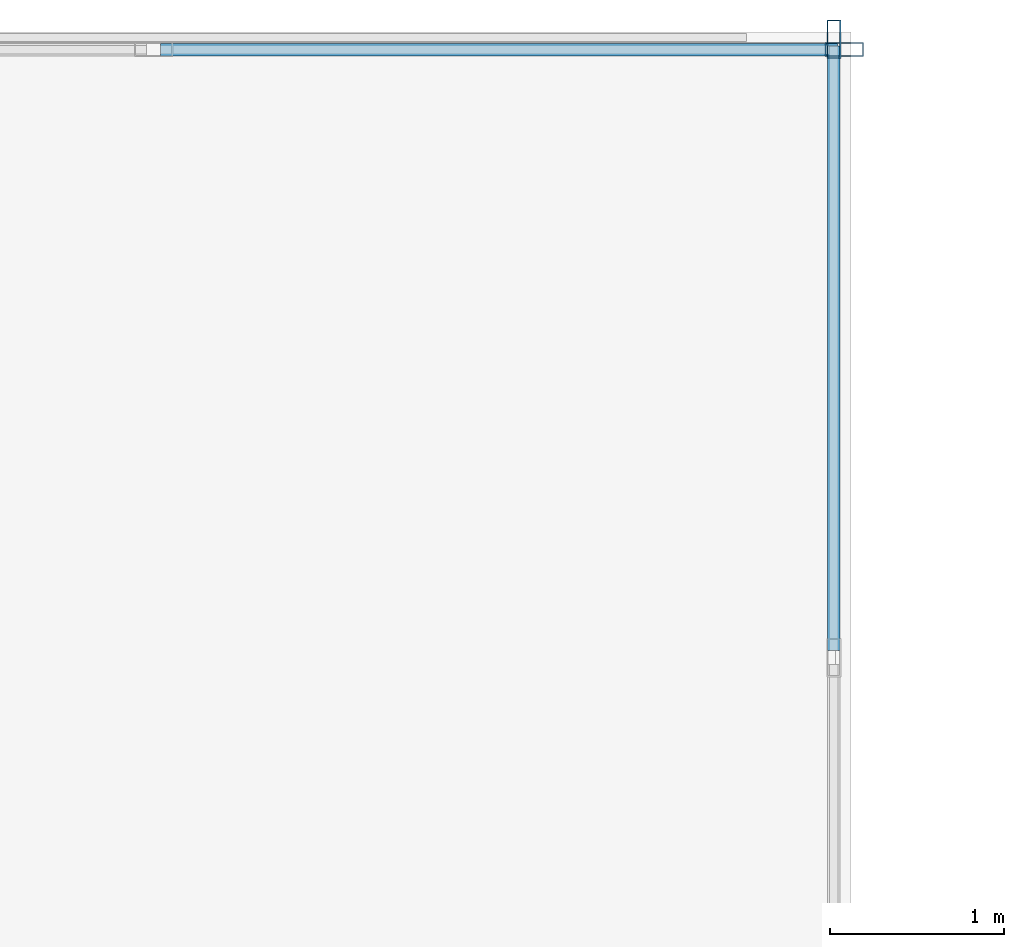
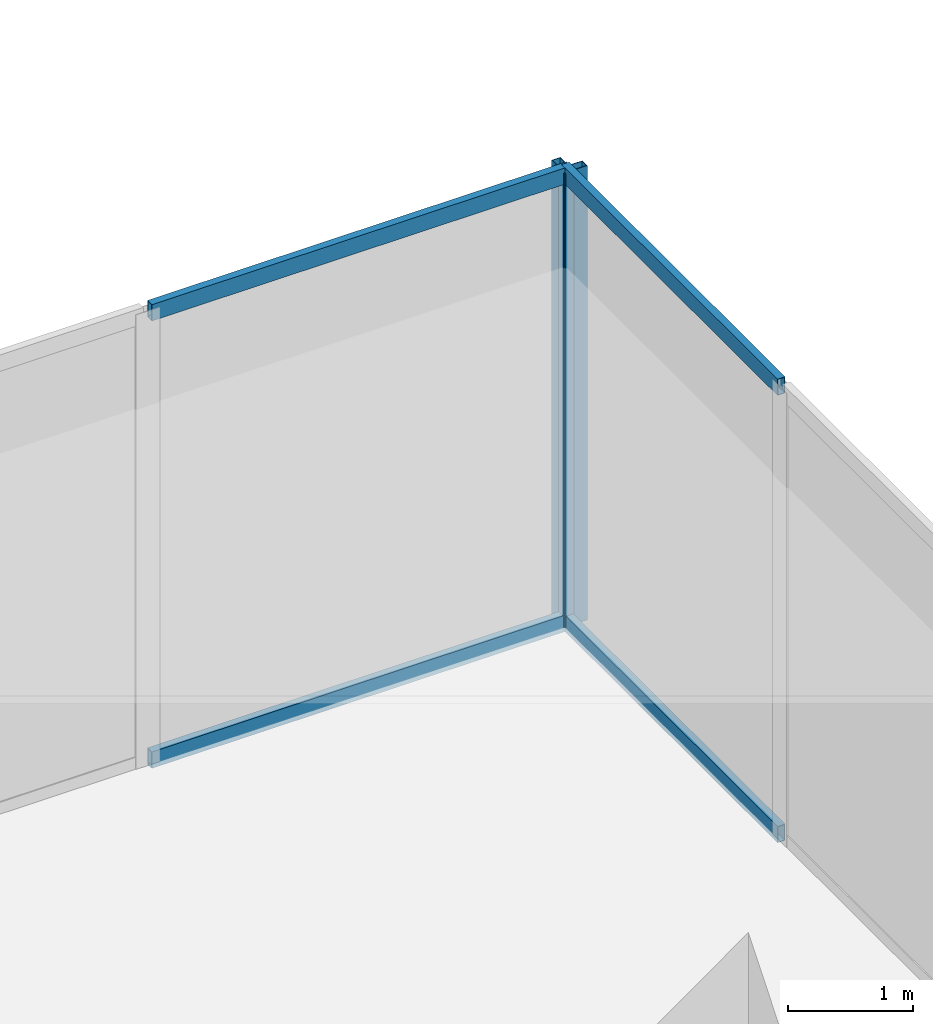
# One storey, part 16 of 33: 6 members, 2 elements without a shape of their own.
"""IFC4 building model written with IfcOpenShell, lengths in metres."""

import ifcopenshell
import ifcopenshell.guid

model = None  # the IFC model being written
_history = None  # IfcOwnerHistory: only IFC2X3 demands one
_inside = {}  # id of a spatial element -> (the spatial element, [elements in it])
_under = {}  # id of a project, library or spatial element -> (it, [spatial elements below it])
_declared = {}  # id of a project -> (the project, [libraries it declares])
_typed = {}  # id of a type object -> (the type object, [elements of that type])
_made_of = {}  # id of a material, layer set ... -> (it, [elements and type objects made of it])


def new_model(schema):
    """Start an empty IFC model of exactly this schema.

    Asked for "IFC4X3", IfcOpenShell would pick the latest addendum, in which some entities
    have other attributes; the version numbers below select the first issue.
    IFC2X3 requires an IfcOwnerHistory on every rooted entity: one is made here for all.
    """
    global model, _history
    if schema == "IFC4X3":
        model = ifcopenshell.file(schema_version=(4, 3, 0, 0))
    else:
        model = ifcopenshell.file(schema=schema)
    _inside.clear()
    _under.clear()
    _declared.clear()
    _typed.clear()
    _made_of.clear()
    _history = None
    if model.schema == "IFC2X3":
        org = make("IfcOrganization", Name="unknown")
        user = make(
            "IfcPersonAndOrganization",
            ThePerson=make("IfcPerson", FamilyName="unknown"),
            TheOrganization=org,
        )
        app = make(
            "IfcApplication",
            ApplicationDeveloper=org,
            Version="unknown",
            ApplicationFullName="unknown",
            ApplicationIdentifier="unknown",
        )
        _history = make(
            "IfcOwnerHistory",
            OwningUser=user,
            OwningApplication=app,
            ChangeAction="ADDED",
            CreationDate=0,
        )
    return model


def make(cls, **values):
    """One entity of the class cls with the attributes given. An attribute that is None is left unset."""
    return model.create_entity(
        cls, **{name: value for name, value in values.items() if value is not None}
    )


def rooted(cls, **values):
    """An entity with a GlobalId (a new one), such as an element, a storey or a relation."""
    return make(cls, GlobalId=ifcopenshell.guid.new(), OwnerHistory=_history, **values)


def si_unit(unit_type, name, prefix=None):
    """IfcSIUnit, for example si_unit("LENGTHUNIT", "METRE", prefix="MILLI")."""
    return make("IfcSIUnit", UnitType=unit_type, Prefix=prefix, Name=name)


def assignment(units):
    """IfcUnitAssignment: the units of a project."""
    return None if units is None else make("IfcUnitAssignment", Units=units)


def point(xyz):
    """IfcCartesianPoint."""
    return None if xyz is None else make("IfcCartesianPoint", Coordinates=xyz)


def direction(xyz):
    """IfcDirection."""
    return None if xyz is None else make("IfcDirection", DirectionRatios=xyz)


def frame(location, z_axis=None, x_axis=None):
    """IfcAxis2Placement3D, a coordinate frame: its origin and axes. An axis left out is left unset."""
    return make(
        "IfcAxis2Placement3D",
        Location=point(location),
        Axis=direction(z_axis),
        RefDirection=direction(x_axis),
    )


def frame_2d(location, x_axis=None):
    """IfcAxis2Placement2D, a coordinate frame in the plane: its origin and x axis."""
    return make(
        "IfcAxis2Placement2D", Location=point(location), RefDirection=direction(x_axis)
    )


def origin():
    """The frame at (0, 0, 0) with its axes left unset."""
    return frame((0.0, 0.0, 0.0))


def origin_2d():
    """The frame at (0, 0) in the plane with its x axis left unset."""
    return frame_2d((0.0, 0.0))


def place(relative_to, where):
    """IfcLocalPlacement: puts the frame where relative to a parent placement (None: the world)."""
    return make(
        "IfcLocalPlacement", PlacementRelTo=relative_to, RelativePlacement=where
    )


def context(
    kind, dimensions, precision=None, world=None, true_north=None, identifier=None
):
    """IfcGeometricRepresentationContext, for example the 3D "Model" context."""
    return make(
        "IfcGeometricRepresentationContext",
        ContextIdentifier=identifier,
        ContextType=kind,
        CoordinateSpaceDimension=dimensions,
        Precision=precision,
        WorldCoordinateSystem=world,
        TrueNorth=true_north,
    )


def subcontext(parent, identifier, kind, view, scale=None):
    """IfcGeometricRepresentationSubContext, for example "Body" below "Model"."""
    return make(
        "IfcGeometricRepresentationSubContext",
        ContextIdentifier=identifier,
        ContextType=kind,
        ParentContext=parent,
        TargetScale=scale,
        TargetView=view,
    )


def project(units=None, contexts=None):
    """IfcProject with its units and contexts."""
    return rooted(
        "IfcProject",
        Name="project",
        RepresentationContexts=contexts,
        UnitsInContext=assignment(units),
    )


def spatial(cls, under=None, at=None, **own):
    """A site, building, storey or space (cls), placed at a placement, below another one or the project."""
    s = rooted(cls, ObjectPlacement=at, **own)
    if under is not None:
        _under.setdefault(under.id(), (under, []))[1].append(s)
    return s


def profile(cls, at=None, kind="AREA", **sizes):
    """A parametric profile (cls). Its sizes go by their IFC names, for example OverallWidth=200.0."""
    return make(cls, ProfileType=kind, Position=at, **sizes)


def hollow_rectangle(**sizes):
    """IfcRectangleHollowProfileDef."""
    return profile("IfcRectangleHollowProfileDef", **sizes)


def extrude(swept, where, along, depth):
    """IfcExtrudedAreaSolid: the profile swept, set in the frame where, extruded along a direction by depth."""
    return make(
        "IfcExtrudedAreaSolid",
        SweptArea=swept,
        Position=where,
        ExtrudedDirection=direction(along),
        Depth=depth,
    )


def shape(context_of_items, identifier, shape_type, items):
    """IfcShapeRepresentation: the items that make up one representation, for example the "Body"."""
    return make(
        "IfcShapeRepresentation",
        ContextOfItems=context_of_items,
        RepresentationIdentifier=identifier,
        RepresentationType=shape_type,
        Items=items,
    )


def source(mapping_origin, context_of_items, identifier, shape_type, items):
    """IfcRepresentationMap: a shape defined once, which mapped items show again and again."""
    return make(
        "IfcRepresentationMap",
        MappingOrigin=mapping_origin,
        MappedRepresentation=shape(context_of_items, identifier, shape_type, items),
    )


def transform(
    local_origin,
    x_axis=None,
    y_axis=None,
    z_axis=None,
    scale=None,
    scale2=None,
    scale3=None,
    uniform=True,
):
    """IfcCartesianTransformationOperator3D, or its non-uniform kind. x_axis, y_axis, z_axis: its Axis1, 2, 3."""
    if uniform:
        return make(
            "IfcCartesianTransformationOperator3D",
            Axis1=direction(x_axis),
            Axis2=direction(y_axis),
            LocalOrigin=point(local_origin),
            Scale=scale,
            Axis3=direction(z_axis),
        )
    return make(
        "IfcCartesianTransformationOperator3DnonUniform",
        Axis1=direction(x_axis),
        Axis2=direction(y_axis),
        LocalOrigin=point(local_origin),
        Scale=scale,
        Axis3=direction(z_axis),
        Scale2=scale2,
        Scale3=scale3,
    )


def mapped(mapping_source, mapping_target):
    """IfcMappedItem: shows the shape of a source again, moved by a transform."""
    return make(
        "IfcMappedItem", MappingSource=mapping_source, MappingTarget=mapping_target
    )


def material(Name=None, Category=None):
    """IfcMaterial."""
    return make("IfcMaterial", Name=Name, Category=Category)


def layer(
    of_material, thickness, ventilated=None, Name=None, Category=None, Priority=None
):
    """IfcMaterialLayer: one layer of a wall or slab, of a material (None: an air gap)."""
    return make(
        "IfcMaterialLayer",
        Material=of_material,
        LayerThickness=thickness,
        IsVentilated=ventilated,
        Name=Name,
        Category=Category,
        Priority=Priority,
    )


def layer_set(layers, Name=None):
    """IfcMaterialLayerSet."""
    return make("IfcMaterialLayerSet", MaterialLayers=layers, LayerSetName=Name)


def material_profile(
    of_material, cross_section, Name=None, Category=None, Priority=None
):
    """IfcMaterialProfile: a cross section and its material."""
    return make(
        "IfcMaterialProfile",
        Name=Name,
        Material=of_material,
        Profile=cross_section,
        Priority=Priority,
        Category=Category,
    )


def profile_set(profiles, Name=None, composite=None):
    """IfcMaterialProfileSet."""
    return make(
        "IfcMaterialProfileSet",
        Name=Name,
        MaterialProfiles=profiles,
        CompositeProfile=composite,
    )


def made_of(thing, what):
    """Note that an element or type object is made of a material, layer set ...; save() writes the relation."""
    if what is not None:
        _made_of.setdefault(what.id(), (what, []))[1].append(thing)
    return thing


def type_object(cls, material=None, **own):
    """A type object (cls), such as IfcWallType, which elements share."""
    return made_of(rooted(cls, **own), material)


def type_shapes(of_type, sources):
    """Give a type object the sources (RepresentationMaps) that its elements show as mapped items."""
    of_type.RepresentationMaps = sources


def element(
    cls,
    number,
    at=None,
    inside=None,
    cuts=None,
    type_object=None,
    material=None,
    context=None,
    identifier="Body",
    shape_type=None,
    held_by="IfcProductDefinitionShape",
    body=None,
    shapes=None,
    **own,
):
    """One element of the class cls, such as IfcWall. Its Tag is "e" and its number.

    at: its placement. inside: the storey or other place that contains it. cuts: it is an
    opening in that element (IfcRelVoidsElement). A single representation is given by context,
    identifier, shape_type and body (its items); several are given by shapes. held_by: the class
    of the entity that holds the representations. save() writes the other relations.
    """
    e = rooted(cls, Tag="e%d" % number, ObjectPlacement=at, **own)
    if body is not None:
        shapes = [shape(context, identifier, shape_type, body)]
    if shapes is not None:
        e.Representation = make(held_by, Representations=shapes)
    if inside is not None:
        _inside.setdefault(inside.id(), (inside, []))[1].append(e)
    if cuts is not None:
        rooted(
            "IfcRelVoidsElement", RelatingBuildingElement=cuts, RelatedOpeningElement=e
        )
    if type_object is not None:
        _typed.setdefault(type_object.id(), (type_object, []))[1].append(e)
    return made_of(e, material)


def aggregate(whole, parts):
    """IfcRelAggregates: a whole, such as a stair, and the parts it consists of."""
    return rooted("IfcRelAggregates", RelatingObject=whole, RelatedObjects=parts)


def save(model, path):
    """Write the relations noted so far, then the file.

    IfcRelAggregates (storeys below a building ...), IfcRelContainedInSpatialStructure (elements
    in a storey), IfcRelDefinesByType, IfcRelAssociatesMaterial and IfcRelDeclares: one each for
    every whole, place, type object, material and project.
    """
    for whole, parts in _under.values():
        aggregate(whole, parts)
    for where, things in _inside.values():
        rooted(
            "IfcRelContainedInSpatialStructure",
            RelatedElements=things,
            RelatingStructure=where,
        )
    for kind, things in _typed.values():
        rooted("IfcRelDefinesByType", RelatedObjects=things, RelatingType=kind)
    for what, things in _made_of.values():
        rooted("IfcRelAssociatesMaterial", RelatedObjects=things, RelatingMaterial=what)
    for by, libraries in _declared.values():
        rooted("IfcRelDeclares", RelatingContext=by, RelatedDefinitions=libraries)
    model.write(path)


model = new_model("IFC4")

# Units and contexts
model_context = context("Model", 3, precision=1e-05, world=origin(), true_north=direction((0.0, 1.0)))
body_context = subcontext(model_context, "Body", "Model", "MODEL_VIEW")
ifc_project = project(units=[si_unit("LENGTHUNIT", "METRE"), si_unit("AREAUNIT", "SQUARE_METRE"), si_unit("VOLUMEUNIT", "CUBIC_METRE"), si_unit("PLANEANGLEUNIT", "RADIAN"), si_unit("MASSUNIT", "GRAM", prefix="KILO")], contexts=[model_context])

# Site, building, storey
site_placement = place(None, origin())
site = spatial("IfcSite", under=ifc_project, at=site_placement, CompositionType="ELEMENT")
building_placement = place(site_placement, origin())
building = spatial("IfcBuilding", under=site, at=building_placement, Name="Haelvirn Gate Laboratories", CompositionType="ELEMENT")
storey_placement = place(building_placement, frame((0.0, 0.0, 10.199951171875)))
storey = spatial("IfcBuildingStorey", under=building, at=storey_placement, Name="L03", CompositionType="ELEMENT", Elevation=10.199951171875)

# Curtain wall, members
ifc_material_1 = material(Name="Anodised bronze unitised aluminium & triple low-E glass", Category="aluminium")
ifc_layer = layer(ifc_material_1, 0.18798828125, Name="CW-SYS-1")
ifc_layer_set = layer_set([ifc_layer], Name="Anodised bronze unitised aluminium & triple low-E glass")
curtain_wall_type = type_object("IfcCurtainWallType", Name="CW-SYS-1", PredefinedType="NOTDEFINED", material=ifc_layer_set)
curtain_wall_1_placement = place(storey_placement, origin())
curtain_wall_1 = element("IfcCurtainWall", 1, at=curtain_wall_1_placement, inside=storey, type_object=curtain_wall_type, Name="L03 Unitised Curtain Wall CW-L03-P0-E01", PredefinedType="NOTDEFINED")
ifc_material_2 = material(Name="Extruded aluminium 6063-T6 (anodised bronze)", Category="aluminium")
ifc_material_profile_1 = material_profile(ifc_material_2, hollow_rectangle(XDim=0.070068359375, YDim=0.159912109375, WallThickness=0.0048828125, at=origin_2d()), Name="CWT-160x70x5")
ifc_profile_set_1 = profile_set([ifc_material_profile_1], Name="Extruded aluminium 6063-T6 (anodised bronze)")
member_type_1 = type_object("IfcMemberType", Name="CWT-T160", PredefinedType="USERDEFINED", material=ifc_profile_set_1)
shared_shape_1 = source(origin(), body_context, "Body", "SweptSolid", [
    extrude(hollow_rectangle(XDim=0.070068359375, YDim=0.159912109375, WallThickness=0.0048828125, at=origin_2d()), origin(), (0.0, 0.0, 1.0), 3.4658203125),
])
member_1_placement = place(storey_placement, frame((25.300048828125, 45.854248046875, 0.03515625), z_axis=(0.0, 1.0, 0.0), x_axis=(-1.0, 0.0, 0.0)))
member_1 = element("IfcMember", 2, at=member_1_placement, type_object=member_type_1, Name="CW1 transom 14.1", ObjectType="TRANSOM", PredefinedType="USERDEFINED", context=body_context, shape_type="MappedRepresentation", body=[
    mapped(shared_shape_1, transform((0.0, 0.0, 0.0), scale=1.0)),
])
member_2_placement = place(storey_placement, frame((25.300048828125, 45.854248046875, 4.4150390625), z_axis=(0.0, 1.0, 0.0), x_axis=(-1.0, 0.0, 0.0)))
member_2 = element("IfcMember", 3, at=member_2_placement, type_object=member_type_1, Name="CW1 transom 14.2", ObjectType="TRANSOM", PredefinedType="USERDEFINED", context=body_context, shape_type="MappedRepresentation", body=[
    mapped(shared_shape_1, transform((0.0, 0.0, 0.0), scale=1.0)),
])

curtain_wall_2_placement = place(storey_placement, origin())
curtain_wall_2 = element("IfcCurtainWall", 4, at=curtain_wall_2_placement, inside=storey, type_object=curtain_wall_type, Name="L03 Unitised Curtain Wall CW-L03-P0-E02-1", PredefinedType="NOTDEFINED")
shared_shape_2 = source(origin(), body_context, "Body", "SweptSolid", [
    extrude(hollow_rectangle(XDim=0.070068359375, YDim=0.159912109375, WallThickness=0.0048828125, at=origin_2d()), origin(), (0.0, 0.0, 1.0), 3.880126953125),
])
type_shapes(member_type_1, [shared_shape_1, shared_shape_2])
member_3_placement = place(storey_placement, frame((21.43994140625, 49.300048828125, 0.03515625), z_axis=(1.0, 0.0, 0.0), x_axis=(0.0, 1.0, 0.0)))
member_3 = element("IfcMember", 5, at=member_3_placement, type_object=member_type_1, Name="CW1 transom 6.1", ObjectType="TRANSOM", PredefinedType="USERDEFINED", context=body_context, shape_type="MappedRepresentation", body=[
    mapped(shared_shape_2, transform((0.0, 0.0, 0.0), scale=1.0)),
])
member_4_placement = place(storey_placement, frame((21.43994140625, 49.300048828125, 4.4150390625), z_axis=(1.0, 0.0, 0.0), x_axis=(0.0, 1.0, 0.0)))
member_4 = element("IfcMember", 6, at=member_4_placement, type_object=member_type_1, Name="CW1 transom 6.2", ObjectType="TRANSOM", PredefinedType="USERDEFINED", context=body_context, shape_type="MappedRepresentation", body=[
    mapped(shared_shape_2, transform((0.0, 0.0, 0.0), scale=1.0)),
])

# Member
ifc_material_profile_2 = material_profile(ifc_material_2, hollow_rectangle(XDim=0.080078125, YDim=0.219970703125, WallThickness=0.006103515625, at=origin_2d()), Name="CWM-220x80x6")
ifc_profile_set_2 = profile_set([ifc_material_profile_2], Name="Extruded aluminium 6063-T6 (anodised bronze)")
member_type_2 = type_object("IfcMemberType", Name="CWM-T220", PredefinedType="MULLION", material=ifc_profile_set_2)
shared_shape_3 = source(origin(), body_context, "Body", "SweptSolid", [
    extrude(hollow_rectangle(XDim=0.080078125, YDim=0.219970703125, WallThickness=0.006103515625, at=origin_2d()), origin(), (0.0, 0.0, 1.0), 4.449951171875),
])
type_shapes(member_type_2, [shared_shape_3])
member_5_placement = place(storey_placement, frame((25.300048828125, 49.360107421875, 0.0), z_axis=(0.0, 0.0, 1.0), x_axis=(-1.0, 0.0, 0.0)))
member_5 = element("IfcMember", 7, at=member_5_placement, type_object=member_type_2, Name="CW1 mullion 15", PredefinedType="MULLION", context=body_context, shape_type="MappedRepresentation", body=[
    mapped(shared_shape_3, transform((0.0, 0.0, 0.0), scale=1.0)),
])

aggregate(curtain_wall_1, [member_5, member_1, member_2])

member_6_placement = place(storey_placement, frame((25.360107421875, 49.300048828125, 0.0), z_axis=(0.0, 0.0, 1.0), x_axis=(0.0, 1.0, 0.0)))
member_6 = element("IfcMember", 8, at=member_6_placement, type_object=member_type_2, Name="CW1 mullion 7", PredefinedType="MULLION", context=body_context, shape_type="MappedRepresentation", body=[
    mapped(shared_shape_3, transform((0.0, 0.0, 0.0), scale=1.0)),
])

aggregate(curtain_wall_2, [member_6, member_3, member_4])

save(model, "model.ifc")
